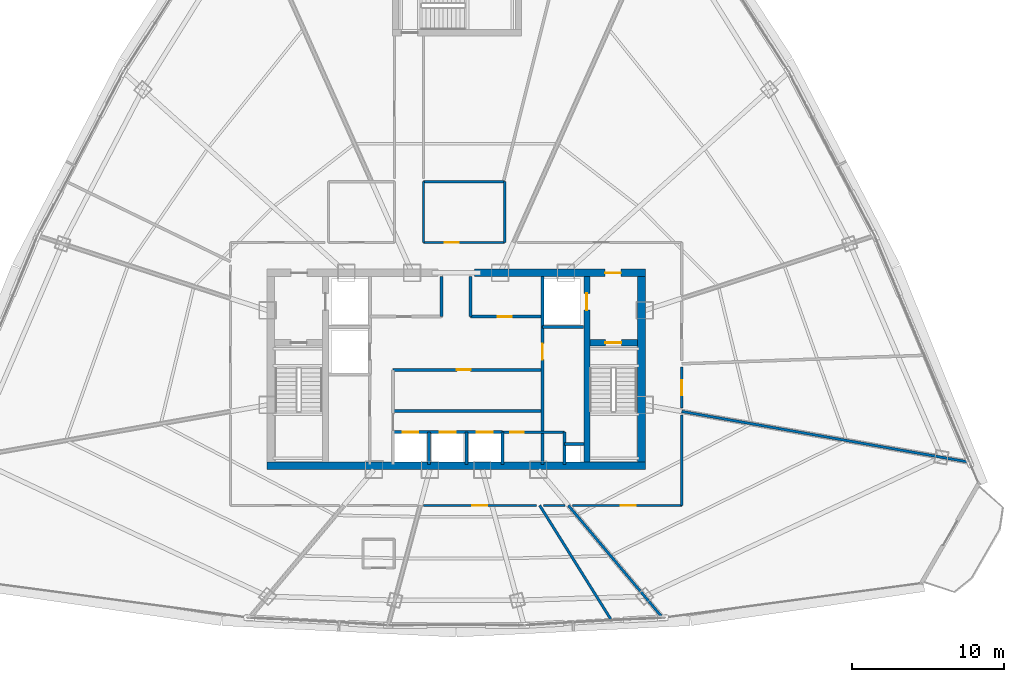
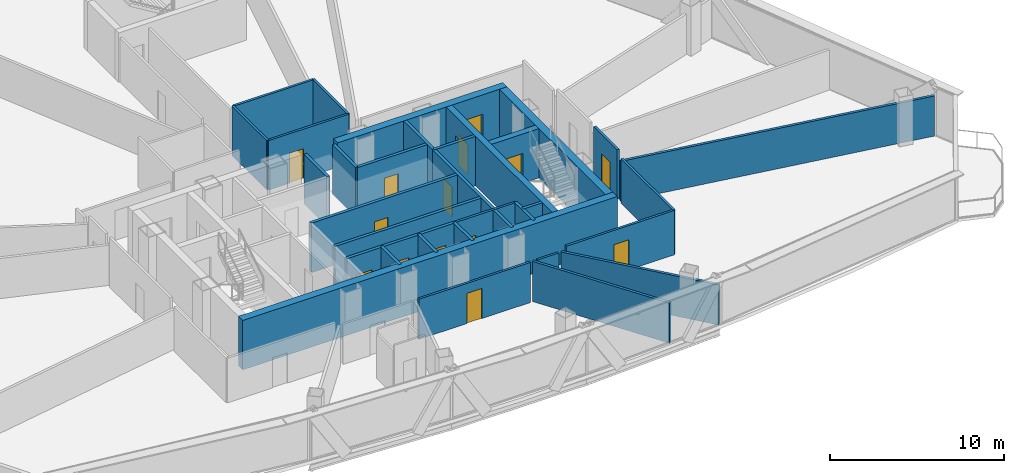
# One storey, part 31 of 37: 32 walls, 14 doors, 14 openings.
"""IFC4 building model written with IfcOpenShell, lengths in metres."""

from ifc_helpers import new_model, si_unit, direction, frame, frame_2d, origin, origin_with_axes, place, context, subcontext, project, spatial, rectangle, extrude, source, transform, mapped, material, layer, layer_set, type_object, element, fill, save


model = new_model("IFC4")

# Units and contexts
model_context = context("Model", 3, precision=1e-05, world=origin(), true_north=direction((0.0, 1.0)))
body_context = subcontext(model_context, "Body", "Model", "MODEL_VIEW")
ifc_project = project(units=[si_unit("LENGTHUNIT", "METRE"), si_unit("AREAUNIT", "SQUARE_METRE"), si_unit("VOLUMEUNIT", "CUBIC_METRE"), si_unit("PLANEANGLEUNIT", "RADIAN"), si_unit("MASSUNIT", "GRAM", prefix="KILO"), si_unit("THERMODYNAMICTEMPERATUREUNIT", "KELVIN"), si_unit("POWERUNIT", "WATT")], contexts=[model_context])

# Site, building, storey
site_placement = place(None, origin())
site = spatial("IfcSite", under=ifc_project, at=site_placement, CompositionType="ELEMENT")
building_placement = place(site_placement, origin())
building = spatial("IfcBuilding", under=site, at=building_placement, Name="Yunzhuo Pagoda Commons", CompositionType="ELEMENT")
storey_placement = place(building_placement, frame((0.0, 0.0, 251.989990234375)))
storey = spatial("IfcBuildingStorey", under=building, at=storey_placement, Name="L63", CompositionType="ELEMENT", Elevation=251.989990234375)

# Wall
ifc_material_1 = material(Name="Concrete C50", Category="concrete")
ifc_layer_1 = layer(ifc_material_1, 0.5)
ifc_layer_set_1 = layer_set([ifc_layer_1], Name="Concrete C50")
wall_type_1 = type_object("IfcWallType", Name="W-C03 Upper Core Shear Wall 500", PredefinedType="SHEAR", material=ifc_layer_set_1)
wall_1_placement = place(storey_placement, frame((35.550048828125, 27.5, 0.0), z_axis=(0.0, 0.0, 1.0), x_axis=(1.0, 0.0, 0.0)))
element("IfcWall", 1, at=wall_1_placement, inside=storey, type_object=wall_type_1, Name="L63 core shear wall S", PredefinedType="SHEAR", context=body_context, shape_type="SweptSolid", body=[
    extrude(rectangle(XDim=24.89990234375, YDim=0.5, at=frame_2d((12.449951171875, 0.0))), origin(), (0.0, 0.0, 1.0), 3.469970703125),
])

# Wall, opening, door
wall_2_placement = place(storey_placement, frame((49.199951171875, 40.199951171875, 0.0), z_axis=(0.0, 0.0, 1.0), x_axis=(1.0, 0.0, 0.0)))
wall_2 = element("IfcWall", 2, at=wall_2_placement, inside=storey, type_object=wall_type_1, Name="L63 core shear wall NE", PredefinedType="SHEAR", context=body_context, shape_type="SweptSolid", body=[
    extrude(rectangle(XDim=11.25, YDim=0.5, at=frame_2d((5.625, 0.0))), origin(), (0.0, 0.0, 1.0), 3.469970703125),
])
opening_1_placement = place(wall_2_placement, frame((8.60009765625, 0.0, 0.0)))
opening_1 = element("IfcOpeningElement", 3, at=opening_1_placement, cuts=wall_2, Name="Opening D-02", PredefinedType="OPENING", context=body_context, shape_type="SweptSolid", body=[
    extrude(rectangle(XDim=1.050048828125, YDim=2.10009765625, at=frame_2d((0.52490234375, 1.050048828125))), frame((0.0, 0.260009765625, 0.0), z_axis=(0.0, -1.0, 0.0), x_axis=(1.0, 0.0, 0.0)), (0.0, 0.0, 1.0), 0.52001953125),
])
ifc_material_2 = material(Name="Galvanized fire-resisting metal leaf")
door_type_1 = type_object("IfcDoorType", Name="D-02 Firefighting Lobby & Refuge Fire Door 1050x2100", OperationType="NOTDEFINED", PredefinedType="DOOR", material=ifc_material_2)
shared_shape_1 = source(origin(), body_context, "Body", "SweptSolid", [
    extrude(rectangle(XDim=1.050048828125, YDim=2.10009765625, at=frame_2d((0.52490234375, 1.050048828125))), frame((0.0, 0.02490234375, 0.0), z_axis=(0.0, -1.0, 0.0), x_axis=(1.0, 0.0, 0.0)), (0.0, 0.0, 1.0), 0.050048828125),
])
door_1_placement = place(opening_1_placement, frame((1.050048828125, 0.0, 0.0), z_axis=(0.0, 0.0, 1.0), x_axis=(-1.0, 0.0, 0.0)))
door_1 = element("IfcDoor", 4, at=door_1_placement, inside=storey, type_object=door_type_1, Name="L63 Firefighting Lobby 2 fire door", OperationType="SINGLE_SWING_RIGHT", OverallHeight=2.10009765625, OverallWidth=1.050048828125, PredefinedType="DOOR", context=body_context, shape_type="MappedRepresentation", body=[
    mapped(shared_shape_1, transform((0.0, 0.0, 0.0), scale=1.0)),
])
fill(opening_1, door_1)

# Wall
wall_3_placement = place(storey_placement, frame((60.199951171875, 27.75, 0.0), z_axis=(0.0, 0.0, 1.0), x_axis=(0.0, 1.0, 0.0)))
element("IfcWall", 5, at=wall_3_placement, inside=storey, type_object=wall_type_1, Name="L63 core shear wall E", PredefinedType="SHEAR", context=body_context, shape_type="SweptSolid", body=[
    extrude(rectangle(XDim=12.199951171875, YDim=0.5, at=frame_2d((6.10009765625, 0.0))), origin(), (0.0, 0.0, 1.0), 3.469970703125),
])

# Wall, opening, door
ifc_material_3 = material(Name="Gypsum plasterboard on acoustic stud")
ifc_layer_2 = layer(ifc_material_3, 0.14990234375)
ifc_layer_set_2 = layer_set([ifc_layer_2], Name="Gypsum plasterboard on acoustic stud")
wall_type_2 = type_object("IfcWallType", Name="W-COR3 High-Zone Rated Corridor Wall 150", PredefinedType="PARTITIONING", material=ifc_layer_set_2)
wall_4_placement = place(storey_placement, frame((51.050048828125, 29.719970703125, 0.0), z_axis=(0.0, 0.0, 1.0), x_axis=(1.0, 0.0, 0.0)))
wall_4 = element("IfcWall", 6, at=wall_4_placement, inside=storey, type_object=wall_type_2, Name="L63 interior wall IW-L63-CSES", PredefinedType="PARTITIONING", context=body_context, shape_type="SweptSolid", body=[
    extrude(rectangle(XDim=4.070068359375, YDim=0.14990234375, at=frame_2d((2.03515625, 0.0))), origin(), (0.0, 0.0, 1.0), 3.469970703125),
])
opening_2_placement = place(wall_4_placement, frame((0.5, 0.0, 0.0)))
opening_2 = element("IfcOpeningElement", 7, at=opening_2_placement, cuts=wall_4, Name="Opening D-03", PredefinedType="OPENING", context=body_context, shape_type="SweptSolid", body=[
    extrude(rectangle(XDim=0.89990234375, YDim=2.10009765625, at=frame_2d((0.449951171875, 1.050048828125))), frame((0.0, 0.0849609375, 0.0), z_axis=(0.0, -1.0, 0.0), x_axis=(1.0, 0.0, 0.0)), (0.0, 0.0, 1.0), 0.169921875),
])
door_type_2 = type_object("IfcDoorType", Name="D-03 Core Service Fire Door 900x2100", OperationType="NOTDEFINED", PredefinedType="DOOR", material=ifc_material_2)
shared_shape_2 = source(origin(), body_context, "Body", "SweptSolid", [
    extrude(rectangle(XDim=0.89990234375, YDim=2.10009765625, at=frame_2d((0.449951171875, 1.050048828125))), frame((0.0, 0.02490234375, 0.0), z_axis=(0.0, -1.0, 0.0), x_axis=(1.0, 0.0, 0.0)), (0.0, 0.0, 1.0), 0.050048828125),
])
door_2_placement = place(opening_2_placement, origin_with_axes())
door_2 = element("IfcDoor", 8, at=door_2_placement, inside=storey, type_object=door_type_2, Name="L63 cleaner store door", OperationType="SINGLE_SWING_LEFT", OverallHeight=2.10009765625, OverallWidth=0.89990234375, PredefinedType="DOOR", context=body_context, shape_type="MappedRepresentation", body=[
    mapped(shared_shape_2, transform((0.0, 0.0, 0.0), scale=1.0)),
])
fill(opening_2, door_2)

wall_5_placement = place(storey_placement, frame((45.85009765625, 42.199951171875, 0.0), z_axis=(0.0, 0.0, 1.0), x_axis=(1.0, 0.0, 0.0)))
wall_5 = element("IfcWall", 9, at=wall_5_placement, inside=storey, type_object=wall_type_2, Name="L63 interior wall IW-L63-TFES", PredefinedType="PARTITIONING", context=body_context, shape_type="SweptSolid", body=[
    extrude(rectangle(XDim=5.349853515625, YDim=0.14990234375, at=frame_2d((2.6748046875, 0.0))), origin(), (0.0, 0.0, 1.0), 3.469970703125),
])
opening_3_placement = place(wall_5_placement, frame((1.39990234375, 0.0, 0.0)))
opening_3 = element("IfcOpeningElement", 10, at=opening_3_placement, cuts=wall_5, Name="Opening D-11", PredefinedType="OPENING", context=body_context, shape_type="SweptSolid", body=[
    extrude(rectangle(XDim=0.93994140625, YDim=2.10009765625, at=frame_2d((0.469970703125, 1.050048828125))), frame((0.0, 0.0849609375, 0.0), z_axis=(0.0, -1.0, 0.0), x_axis=(1.0, 0.0, 0.0)), (0.0, 0.0, 1.0), 0.169921875),
])
door_type_3 = type_object("IfcDoorType", Name="D-11 Accessible Washroom Fire Door 940x2100", OperationType="NOTDEFINED", PredefinedType="DOOR", material=ifc_material_2)
shared_shape_3 = source(origin(), body_context, "Body", "SweptSolid", [
    extrude(rectangle(XDim=0.93994140625, YDim=2.10009765625, at=frame_2d((0.469970703125, 1.050048828125))), frame((0.0, 0.02490234375, 0.0), z_axis=(0.0, -1.0, 0.0), x_axis=(1.0, 0.0, 0.0)), (0.0, 0.0, 1.0), 0.050048828125),
])
door_3_placement = place(opening_3_placement, frame((0.93994140625, 0.0, 0.0), z_axis=(0.0, 0.0, 1.0), x_axis=(-1.0, 0.0, 0.0)))
door_3 = element("IfcDoor", 11, at=door_3_placement, inside=storey, type_object=door_type_3, Name="L63 accessible WC door", OperationType="SINGLE_SWING_RIGHT", OverallHeight=2.10009765625, OverallWidth=0.93994140625, PredefinedType="DOOR", context=body_context, shape_type="MappedRepresentation", body=[
    mapped(shared_shape_3, transform((0.0, 0.0, 0.0), scale=1.0)),
])
fill(opening_3, door_3)

# Walls
wall_6_placement = place(storey_placement, frame((45.85009765625, 46.199951171875, 0.0), z_axis=(0.0, 0.0, 1.0), x_axis=(1.0, 0.0, 0.0)))
element("IfcWall", 12, at=wall_6_placement, inside=storey, type_object=wall_type_2, Name="L63 interior wall IW-L63-TFEN", PredefinedType="PARTITIONING", context=body_context, shape_type="SweptSolid", body=[
    extrude(rectangle(XDim=5.349853515625, YDim=0.14990234375, at=frame_2d((2.6748046875, 0.0))), origin(), (0.0, 0.0, 1.0), 3.469970703125),
])
for number, where, z_axis, x_axis, name in (
    (13, (45.85009765625, 42.199951171875, 0.0), (0.0, 0.0, 1.0), (0.0, 1.0, 0.0), "L63 interior wall IW-L63-TFEW"),
    (14, (51.199951171875, 42.199951171875, 0.0), (0.0, 0.0, 1.0), (0.0, 1.0, 0.0), "L63 interior wall IW-L63-TFEE"),
):
    element("IfcWall", number, at=place(storey_placement, frame(where, z_axis=z_axis, x_axis=x_axis)), inside=storey, type_object=wall_type_2, Name=name, PredefinedType="PARTITIONING", context=body_context, shape_type="SweptSolid", body=[
        extrude(rectangle(XDim=4.0, YDim=0.14990234375, at=frame_2d((2.0, 0.0))), origin(), (0.0, 0.0, 1.0), 3.469970703125),
    ])

# Wall, opening, door
wall_7_placement = place(storey_placement, frame((62.85009765625, 33.998779296875, 0.0), z_axis=(0.0, 0.0, 1.0), x_axis=(0.0, -1.0, 0.0)))
wall_7 = element("IfcWall", 15, at=wall_7_placement, inside=storey, type_object=wall_type_2, Name="L63 interior wall IW-L63-CWL11", PredefinedType="PARTITIONING", context=body_context, shape_type="SweptSolid", body=[
    extrude(rectangle(XDim=2.697509765625, YDim=0.14990234375, at=frame_2d((1.3486328125, 0.0))), origin(), (0.0, 0.0, 1.0), 3.469970703125),
])
opening_4_placement = place(wall_7_placement, frame((0.873779296875, 0.0, 0.0)))
opening_4 = element("IfcOpeningElement", 16, at=opening_4_placement, cuts=wall_7, Name="Opening D-08", PredefinedType="OPENING", context=body_context, shape_type="SweptSolid", body=[
    extrude(rectangle(XDim=0.97998046875, YDim=2.1201171875, at=frame_2d((0.489990234375, 1.06005859375))), frame((0.0, 0.0849609375, 0.0), z_axis=(0.0, -1.0, 0.0), x_axis=(1.0, 0.0, 0.0)), (0.0, 0.0, 1.0), 0.169921875),
])
door_type_4 = type_object("IfcDoorType", Name="D-08 High-Zone Suite Entrance Fire Door 980x2120", OperationType="NOTDEFINED", PredefinedType="DOOR", material=ifc_material_2)
shared_shape_4 = source(origin(), body_context, "Body", "SweptSolid", [
    extrude(rectangle(XDim=0.97998046875, YDim=2.1201171875, at=frame_2d((0.489990234375, 1.06005859375))), frame((0.0, 0.02490234375, 0.0), z_axis=(0.0, -1.0, 0.0), x_axis=(1.0, 0.0, 0.0)), (0.0, 0.0, 1.0), 0.050048828125),
])
door_4_placement = place(opening_4_placement, origin_with_axes())
door_4 = element("IfcDoor", 17, at=door_4_placement, inside=storey, type_object=door_type_4, Name="L63 unit 13 entrance door", OperationType="SINGLE_SWING_LEFT", OverallHeight=2.1201171875, OverallWidth=0.97998046875, PredefinedType="DOOR", context=body_context, shape_type="MappedRepresentation", body=[
    mapped(shared_shape_4, transform((0.0, 0.0, 0.0), scale=1.0)),
])
fill(opening_4, door_4)

# Wall
wall_8_placement = place(storey_placement, frame((62.85009765625, 30.858154296875, 0.0), z_axis=(0.0, 0.0, 1.0), x_axis=(0.0, -1.0, 0.0)))
element("IfcWall", 18, at=wall_8_placement, inside=storey, type_object=wall_type_2, Name="L63 interior wall IW-L63-CWL12", PredefinedType="PARTITIONING", context=body_context, shape_type="SweptSolid", body=[
    extrude(rectangle(XDim=5.958251953125, YDim=0.14990234375, at=frame_2d((2.97900390625, 0.0))), origin(), (0.0, 0.0, 1.0), 3.1201171875),
])

# Wall, opening, door
wall_9_placement = place(storey_placement, frame((62.85009765625, 24.89990234375, 0.0), z_axis=(0.0, 0.0, 1.0), x_axis=(-1.0, 0.0, 0.0)))
wall_9 = element("IfcWall", 19, at=wall_9_placement, inside=storey, type_object=wall_type_2, Name="L63 interior wall IW-L63-CWL13", PredefinedType="PARTITIONING", context=body_context, shape_type="SweptSolid", body=[
    extrude(rectangle(XDim=7.1787109375, YDim=0.14990234375, at=frame_2d((3.58935546875, 0.0))), origin(), (0.0, 0.0, 1.0), 3.1201171875),
])
opening_5_placement = place(wall_9_placement, frame((3.028076171875, 0.0, 0.0)))
opening_5 = element("IfcOpeningElement", 20, at=opening_5_placement, cuts=wall_9, Name="Opening D-08", PredefinedType="OPENING", context=body_context, shape_type="SweptSolid", body=[
    extrude(rectangle(XDim=0.97998046875, YDim=2.1201171875, at=frame_2d((0.489990234375, 1.06005859375))), frame((0.0, 0.0849609375, 0.0), z_axis=(0.0, -1.0, 0.0), x_axis=(1.0, 0.0, 0.0)), (0.0, 0.0, 1.0), 0.169921875),
])
door_5_placement = place(opening_5_placement, origin_with_axes())
door_5 = element("IfcDoor", 21, at=door_5_placement, inside=storey, type_object=door_type_4, Name="L63 unit 12 entrance door", OperationType="SINGLE_SWING_RIGHT", OverallHeight=2.1201171875, OverallWidth=0.97998046875, PredefinedType="DOOR", context=body_context, shape_type="MappedRepresentation", body=[
    mapped(shared_shape_4, transform((0.0, 0.0, 0.0), scale=1.0)),
])
fill(opening_5, door_5)

# Wall
wall_10_placement = place(storey_placement, frame((55.164306640625, 24.89990234375, 0.0), z_axis=(0.0, 0.0, 1.0), x_axis=(-1.0, 0.0, 0.0)))
element("IfcWall", 22, at=wall_10_placement, inside=storey, type_object=wall_type_2, Name="L63 interior wall IW-L63-CWL14", PredefinedType="PARTITIONING", context=body_context, shape_type="SweptSolid", body=[
    extrude(rectangle(XDim=1.406005859375, YDim=0.14990234375, at=frame_2d((0.703125, 0.0))), origin(), (0.0, 0.0, 1.0), 2.820068359375),
])

# Wall, opening, door
wall_11_placement = place(storey_placement, frame((53.279052734375, 24.89990234375, 0.0), z_axis=(0.0, 0.0, 1.0), x_axis=(-1.0, 0.0, 0.0)))
wall_11 = element("IfcWall", 23, at=wall_11_placement, inside=storey, type_object=wall_type_2, Name="L63 interior wall IW-L63-CWL15", PredefinedType="PARTITIONING", context=body_context, shape_type="SweptSolid", body=[
    extrude(rectangle(XDim=7.417236328125, YDim=0.14990234375, at=frame_2d((3.70849609375, 0.0))), origin(), (0.0, 0.0, 1.0), 2.820068359375),
])
opening_6_placement = place(wall_11_placement, frame((3.233642578125, 0.0, 0.0)))
opening_6 = element("IfcOpeningElement", 24, at=opening_6_placement, cuts=wall_11, Name="Opening D-08", PredefinedType="OPENING", context=body_context, shape_type="SweptSolid", body=[
    extrude(rectangle(XDim=0.97998046875, YDim=2.1201171875, at=frame_2d((0.489990234375, 1.06005859375))), frame((0.0, 0.0849609375, 0.0), z_axis=(0.0, -1.0, 0.0), x_axis=(1.0, 0.0, 0.0)), (0.0, 0.0, 1.0), 0.169921875),
])
door_6_placement = place(opening_6_placement, origin_with_axes())
door_6 = element("IfcDoor", 25, at=door_6_placement, inside=storey, type_object=door_type_4, Name="L63 Academic Reading Commons 2 door", OperationType="SINGLE_SWING_RIGHT", OverallHeight=2.1201171875, OverallWidth=0.97998046875, PredefinedType="DOOR", context=body_context, shape_type="MappedRepresentation", body=[
    mapped(shared_shape_4, transform((0.0, 0.0, 0.0), scale=1.0)),
])
fill(opening_6, door_6)

# Walls
ifc_layer_3 = layer(ifc_material_3, 0.169921875)
ifc_layer_set_3 = layer_set([ifc_layer_3], Name="Gypsum plasterboard on acoustic stud")
wall_type_3 = type_object("IfcWallType", Name="W-PRT4 High-Zone Demising Wall 170", PredefinedType="PARTITIONING", material=ifc_layer_set_3)
wall_12_placement = place(storey_placement, frame((53.498779296875, 24.89990234375, 0.0), z_axis=(0.0, 0.0, 1.0), x_axis=(0.529920411872, -0.848047379031, 0.0)))
element("IfcWall", 26, at=wall_12_placement, inside=storey, type_object=wall_type_3, Name="L63 interior wall IW-L63-RAD11", PredefinedType="PARTITIONING", context=body_context, shape_type="SweptSolid", body=[
    extrude(rectangle(XDim=8.94287109375, YDim=0.169921875, at=frame_2d((4.471435546875, 0.0))), origin(), (0.0, 0.0, 1.0), 2.820068359375),
])
wall_13_placement = place(storey_placement, frame((55.384033203125, 24.89990234375, 0.0), z_axis=(0.0, 0.0, 1.0), x_axis=(0.642795010628, -0.766038232931, 0.0)))
element("IfcWall", 27, at=wall_13_placement, inside=storey, type_object=wall_type_3, Name="L63 interior wall IW-L63-RAD12", PredefinedType="PARTITIONING", context=body_context, shape_type="SweptSolid", body=[
    extrude(rectangle(XDim=9.6630859375, YDim=0.169921875, at=frame_2d((4.83154296875, 0.0))), origin(), (0.0, 0.0, 1.0), 2.820068359375),
])
wall_14_placement = place(storey_placement, frame((62.85009765625, 31.08154296875, 0.0), z_axis=(0.0, 0.0, 1.0), x_axis=(0.984808346381, -0.173644812474, 0.0)))
element("IfcWall", 28, at=wall_14_placement, inside=storey, type_object=wall_type_3, Name="L63 interior wall IW-L63-RAD13", PredefinedType="PARTITIONING", context=body_context, shape_type="SweptSolid", body=[
    extrude(rectangle(XDim=19.22802734375, YDim=0.169921875, at=frame_2d((9.614013671875, 0.0))), origin(), (0.0, 0.0, 1.0), 2.820068359375),
])

# Wall, opening, door
ifc_material_4 = material(Name="Concrete C60", Category="concrete")
ifc_layer_4 = layer(ifc_material_4, 0.39990234375)
ifc_layer_set_4 = layer_set([ifc_layer_4], Name="Concrete C60")
wall_type_4 = type_object("IfcWallType", Name="W-S01 Internal Core Shear Web 400", PredefinedType="SHEAR", material=ifc_layer_set_4)
wall_15_placement = place(storey_placement, frame((56.60009765625, 27.75, 0.0), z_axis=(0.0, 0.0, 1.0), x_axis=(0.0, 1.0, 0.0)))
wall_15 = element("IfcWall", 29, at=wall_15_placement, inside=storey, type_object=wall_type_4, Name="L63 core shear wall WEBE", PredefinedType="SHEAR", context=body_context, shape_type="SweptSolid", body=[
    extrude(rectangle(XDim=12.199951171875, YDim=0.39990234375, at=frame_2d((6.10009765625, 0.0))), origin(), (0.0, 0.0, 1.0), 3.469970703125),
])
opening_7_placement = place(wall_15_placement, frame((10.0, 0.0, 0.0)))
opening_7 = element("IfcOpeningElement", 30, at=opening_7_placement, cuts=wall_15, Name="Opening LD-01", PredefinedType="OPENING", context=body_context, shape_type="SweptSolid", body=[
    extrude(rectangle(XDim=1.10009765625, YDim=2.10009765625, at=frame_2d((0.550048828125, 1.050048828125))), frame((0.0, 0.2099609375, 0.0), z_axis=(0.0, -1.0, 0.0), x_axis=(1.0, 0.0, 0.0)), (0.0, 0.0, 1.0), 0.419921875),
])
door_type_5 = type_object("IfcDoorType", Name="LD-01 Firefighting Lift Landing Door 1100x2100", OperationType="DOUBLE_DOOR_SLIDING", PredefinedType="DOOR", material=ifc_material_2)
shared_shape_5 = source(origin(), body_context, "Body", "SweptSolid", [
    extrude(rectangle(XDim=1.10009765625, YDim=2.10009765625, at=frame_2d((0.550048828125, 1.050048828125))), frame((0.0, 0.02490234375, 0.0), z_axis=(0.0, -1.0, 0.0), x_axis=(1.0, 0.0, 0.0)), (0.0, 0.0, 1.0), 0.050048828125),
])
door_7_placement = place(opening_7_placement, origin_with_axes())
door_7 = element("IfcDoor", 31, at=door_7_placement, inside=storey, type_object=door_type_5, Name="L63 Firefighting lift FL-2 landing door", OperationType="DOUBLE_DOOR_SLIDING", OverallHeight=2.10009765625, OverallWidth=1.10009765625, PredefinedType="DOOR", context=body_context, shape_type="MappedRepresentation", body=[
    mapped(shared_shape_5, transform((0.0, 0.0, 0.0), scale=1.0)),
])
fill(opening_7, door_7)

wall_16_placement = place(storey_placement, frame((56.800048828125, 35.60009765625, 0.0), z_axis=(0.0, 0.0, 1.0), x_axis=(1.0, 0.0, 0.0)))
wall_16 = element("IfcWall", 32, at=wall_16_placement, inside=storey, type_object=wall_type_4, Name="L63 core shear wall STE", PredefinedType="SHEAR", context=body_context, shape_type="SweptSolid", body=[
    extrude(rectangle(XDim=3.14990234375, YDim=0.39990234375, at=frame_2d((1.574951171875, 0.0))), origin(), (0.0, 0.0, 1.0), 3.469970703125),
])
opening_8_placement = place(wall_16_placement, frame((1.02001953125, 0.0, 0.0)))
opening_8 = element("IfcOpeningElement", 33, at=opening_8_placement, cuts=wall_16, Name="Opening D-01", PredefinedType="OPENING", context=body_context, shape_type="SweptSolid", body=[
    extrude(rectangle(XDim=1.050048828125, YDim=2.10009765625, at=frame_2d((0.52490234375, 1.050048828125))), frame((0.0, 0.2099609375, 0.0), z_axis=(0.0, -1.0, 0.0), x_axis=(1.0, 0.0, 0.0)), (0.0, 0.0, 1.0), 0.419921875),
])
door_type_6 = type_object("IfcDoorType", Name="D-01 Smokeproof Stair Fire Door 1050x2100", OperationType="NOTDEFINED", PredefinedType="DOOR", material=ifc_material_2)
door_8_placement = place(opening_8_placement, frame((1.050048828125, 0.0, 0.0), z_axis=(0.0, 0.0, 1.0), x_axis=(-1.0, 0.0, 0.0)))
door_8 = element("IfcDoor", 34, at=door_8_placement, inside=storey, type_object=door_type_6, Name="L63 Stair ST2 fire door", OperationType="SINGLE_SWING_RIGHT", OverallHeight=2.10009765625, OverallWidth=1.050048828125, PredefinedType="DOOR", context=body_context, shape_type="MappedRepresentation", body=[
    mapped(shared_shape_1, transform((0.0, 0.0, 0.0), scale=1.0)),
])
fill(opening_8, door_8)

# Walls
ifc_material_5 = material(Name="Concrete C40", Category="concrete")
ifc_layer_5 = layer(ifc_material_5, 0.199951171875)
ifc_layer_set_5 = layer_set([ifc_layer_5], Name="Concrete C40")
wall_type_5 = type_object("IfcWallType", Name="W-SHF Shaft & Stair Enclosure Wall 200", PredefinedType="SOLIDWALL", material=ifc_layer_set_5)
wall_17_placement = place(storey_placement, frame((53.679931640625, 36.64990234375, 0.0), z_axis=(0.0, 0.0, 1.0), x_axis=(0.0, 1.0, 0.0)))
element("IfcWall", 35, at=wall_17_placement, inside=storey, type_object=wall_type_5, Name="L63 interior wall IW-L63-FL2W", PredefinedType="SOLIDWALL", context=body_context, shape_type="SweptSolid", body=[
    extrude(rectangle(XDim=3.300048828125, YDim=0.199951171875, at=frame_2d((1.64990234375, 0.0))), origin(), (0.0, 0.0, 1.0), 3.469970703125),
])
wall_18_placement = place(storey_placement, frame((53.679931640625, 36.64990234375, 0.0), z_axis=(0.0, 0.0, 1.0), x_axis=(1.0, 0.0, 0.0)))
element("IfcWall", 36, at=wall_18_placement, inside=storey, type_object=wall_type_5, Name="L63 interior wall IW-L63-FL2S", PredefinedType="SOLIDWALL", context=body_context, shape_type="SweptSolid", body=[
    extrude(rectangle(XDim=2.719970703125, YDim=0.199951171875, at=frame_2d((1.35986328125, 0.0))), origin(), (0.0, 0.0, 1.0), 3.469970703125),
])

# Wall, opening, door
wall_19_placement = place(storey_placement, frame((48.949951171875, 37.320068359375, 0.0), z_axis=(0.0, 0.0, 1.0), x_axis=(1.0, 0.0, 0.0)))
wall_19 = element("IfcWall", 37, at=wall_19_placement, inside=storey, type_object=wall_type_5, Name="L63 interior wall IW-L63-LBNE", PredefinedType="SOLIDWALL", context=body_context, shape_type="SweptSolid", body=[
    extrude(rectangle(XDim=4.72998046875, YDim=0.199951171875, at=frame_2d((2.364990234375, 0.0))), origin(), (0.0, 0.0, 1.0), 3.469970703125),
])
opening_9_placement = place(wall_19_placement, frame((1.800048828125, 0.0, 0.0)))
opening_9 = element("IfcOpeningElement", 38, at=opening_9_placement, cuts=wall_19, Name="Opening D-03", PredefinedType="OPENING", context=body_context, shape_type="SweptSolid", body=[
    extrude(rectangle(XDim=0.89990234375, YDim=2.10009765625, at=frame_2d((0.449951171875, 1.050048828125))), frame((0.0, 0.10986328125, 0.0), z_axis=(0.0, -1.0, 0.0), x_axis=(1.0, 0.0, 0.0)), (0.0, 0.0, 1.0), 0.219970703125),
])
door_9_placement = place(opening_9_placement, frame((0.89990234375, 0.0, 0.0), z_axis=(0.0, 0.0, 1.0), x_axis=(-1.0, 0.0, 0.0)))
door_9 = element("IfcDoor", 39, at=door_9_placement, inside=storey, type_object=door_type_2, Name="L63 core east store door", OperationType="SINGLE_SWING_RIGHT", OverallHeight=2.10009765625, OverallWidth=0.89990234375, PredefinedType="DOOR", context=body_context, shape_type="MappedRepresentation", body=[
    mapped(shared_shape_2, transform((0.0, 0.0, 0.0), scale=1.0)),
])
fill(opening_9, door_9)

# Walls
for number, where, z_axis, x_axis, name in (
    (40, (47.050048828125, 37.320068359375, 0.0), (0.0, 0.0, 1.0), (0.0, 1.0, 0.0), "L63 interior wall IW-L63-THRW"),
    (41, (48.949951171875, 37.320068359375, 0.0), (0.0, 0.0, 1.0), (0.0, 1.0, 0.0), "L63 interior wall IW-L63-THRE"),
):
    element("IfcWall", number, at=place(storey_placement, frame(where, z_axis=z_axis, x_axis=x_axis)), inside=storey, type_object=wall_type_5, Name=name, PredefinedType="SOLIDWALL", context=body_context, shape_type="SweptSolid", body=[
        extrude(rectangle(XDim=2.6298828125, YDim=0.199951171875, at=frame_2d((1.31494140625, 0.0))), origin(), (0.0, 0.0, 1.0), 3.469970703125),
    ])

# Wall, opening, door
wall_20_placement = place(storey_placement, frame((43.85009765625, 33.820068359375, 0.0), z_axis=(0.0, 0.0, 1.0), x_axis=(1.0, 0.0, 0.0)))
wall_20 = element("IfcWall", 42, at=wall_20_placement, inside=storey, type_object=wall_type_5, Name="L63 interior wall IW-L63-MLBS", PredefinedType="SOLIDWALL", context=body_context, shape_type="SweptSolid", body=[
    extrude(rectangle(XDim=9.829833984375, YDim=0.199951171875, at=frame_2d((4.9150390625, 0.0))), origin(), (0.0, 0.0, 1.0), 3.469970703125),
])
opening_10_placement = place(wall_20_placement, frame((4.199951171875, 0.0, 0.0)))
opening_10 = element("IfcOpeningElement", 43, at=opening_10_placement, cuts=wall_20, Name="Opening D-03", PredefinedType="OPENING", context=body_context, shape_type="SweptSolid", body=[
    extrude(rectangle(XDim=0.89990234375, YDim=2.10009765625, at=frame_2d((0.449951171875, 1.050048828125))), frame((0.0, 0.10986328125, 0.0), z_axis=(0.0, -1.0, 0.0), x_axis=(1.0, 0.0, 0.0)), (0.0, 0.0, 1.0), 0.219970703125),
])
door_10_placement = place(opening_10_placement, origin_with_axes())
door_10 = element("IfcDoor", 44, at=door_10_placement, inside=storey, type_object=door_type_2, Name="L63 core archive store door", OperationType="SINGLE_SWING_LEFT", OverallHeight=2.10009765625, OverallWidth=0.89990234375, PredefinedType="DOOR", context=body_context, shape_type="MappedRepresentation", body=[
    mapped(shared_shape_2, transform((0.0, 0.0, 0.0), scale=1.0)),
])
fill(opening_10, door_10)

wall_21_placement = place(storey_placement, frame((53.679931640625, 27.60009765625, 0.0), z_axis=(0.0, 0.0, 1.0), x_axis=(0.0, 1.0, 0.0)))
wall_21 = element("IfcWall", 45, at=wall_21_placement, inside=storey, type_object=wall_type_5, Name="L63 interior wall IW-L63-PLME", PredefinedType="SOLIDWALL", context=body_context, shape_type="SweptSolid", body=[
    extrude(rectangle(XDim=9.0498046875, YDim=0.199951171875, at=frame_2d((4.52490234375, 0.0))), origin(), (0.0, 0.0, 1.0), 3.469970703125),
])
opening_11_placement = place(wall_21_placement, frame((6.89990234375, 0.0, 0.0)))
opening_11 = element("IfcOpeningElement", 46, at=opening_11_placement, cuts=wall_21, Name="Opening D-02", PredefinedType="OPENING", context=body_context, shape_type="SweptSolid", body=[
    extrude(rectangle(XDim=1.050048828125, YDim=2.10009765625, at=frame_2d((0.52490234375, 1.050048828125))), frame((0.0, 0.10986328125, 0.0), z_axis=(0.0, -1.0, 0.0), x_axis=(1.0, 0.0, 0.0)), (0.0, 0.0, 1.0), 0.219970703125),
])
door_11_placement = place(opening_11_placement, origin_with_axes())
door_11 = element("IfcDoor", 47, at=door_11_placement, inside=storey, type_object=door_type_1, Name="L63 High-bank lift hall door", OperationType="SINGLE_SWING_RIGHT", OverallHeight=2.10009765625, OverallWidth=1.050048828125, PredefinedType="DOOR", context=body_context, shape_type="MappedRepresentation", body=[
    mapped(shared_shape_1, transform((0.0, 0.0, 0.0), scale=1.0)),
])
fill(opening_11, door_11)

# Wall, openings, doors
wall_22_placement = place(storey_placement, frame((43.85009765625, 29.719970703125, 0.0), z_axis=(0.0, 0.0, 1.0), x_axis=(1.0, 0.0, 0.0)))
wall_22 = element("IfcWall", 48, at=wall_22_placement, inside=storey, type_object=wall_type_5, Name="L63 interior wall IW-L63-PLHN", PredefinedType="SOLIDWALL", context=body_context, shape_type="SweptSolid", body=[
    extrude(rectangle(XDim=7.199951171875, YDim=0.199951171875, at=frame_2d((3.60009765625, 0.0))), origin(), (0.0, 0.0, 1.0), 3.469970703125),
])
opening_12_placement = place(wall_22_placement, frame((0.625, 0.0, 0.0)))
opening_12 = element("IfcOpeningElement", 49, at=opening_12_placement, cuts=wall_22, Name="Opening LD-02", PredefinedType="OPENING", context=body_context, shape_type="SweptSolid", body=[
    extrude(rectangle(XDim=1.050048828125, YDim=2.10009765625, at=frame_2d((0.52490234375, 1.050048828125))), frame((0.0, 0.10986328125, 0.0), z_axis=(0.0, -1.0, 0.0), x_axis=(1.0, 0.0, 0.0)), (0.0, 0.0, 1.0), 0.219970703125),
])
opening_13_placement = place(wall_22_placement, frame((3.074951171875, 0.0, 0.0)))
opening_13 = element("IfcOpeningElement", 50, at=opening_13_placement, cuts=wall_22, Name="Opening LD-02", PredefinedType="OPENING", context=body_context, shape_type="SweptSolid", body=[
    extrude(rectangle(XDim=1.050048828125, YDim=2.10009765625, at=frame_2d((0.52490234375, 1.050048828125))), frame((0.0, 0.10986328125, 0.0), z_axis=(0.0, -1.0, 0.0), x_axis=(1.0, 0.0, 0.0)), (0.0, 0.0, 1.0), 0.219970703125),
])
opening_14_placement = place(wall_22_placement, frame((5.52490234375, 0.0, 0.0)))
opening_14 = element("IfcOpeningElement", 51, at=opening_14_placement, cuts=wall_22, Name="Opening LD-02", PredefinedType="OPENING", context=body_context, shape_type="SweptSolid", body=[
    extrude(rectangle(XDim=1.050048828125, YDim=2.10009765625, at=frame_2d((0.52490234375, 1.050048828125))), frame((0.0, 0.10986328125, 0.0), z_axis=(0.0, -1.0, 0.0), x_axis=(1.0, 0.0, 0.0)), (0.0, 0.0, 1.0), 0.219970703125),
])
door_type_7 = type_object("IfcDoorType", Name="LD-02 Passenger Lift Landing Door 1050x2100", OperationType="DOUBLE_DOOR_SLIDING", PredefinedType="DOOR", material=ifc_material_2)
door_12_placement = place(opening_12_placement, origin_with_axes())
door_12 = element("IfcDoor", 52, at=door_12_placement, inside=storey, type_object=door_type_7, Name="L63 Passenger lift PL-H1 landing door", OperationType="DOUBLE_DOOR_SLIDING", OverallHeight=2.10009765625, OverallWidth=1.050048828125, PredefinedType="DOOR", context=body_context, shape_type="MappedRepresentation", body=[
    mapped(shared_shape_1, transform((0.0, 0.0, 0.0), scale=1.0)),
])
fill(opening_12, door_12)
door_13_placement = place(opening_13_placement, origin_with_axes())
door_13 = element("IfcDoor", 53, at=door_13_placement, inside=storey, type_object=door_type_7, Name="L63 Passenger lift PL-H2 landing door", OperationType="DOUBLE_DOOR_SLIDING", OverallHeight=2.10009765625, OverallWidth=1.050048828125, PredefinedType="DOOR", context=body_context, shape_type="MappedRepresentation", body=[
    mapped(shared_shape_1, transform((0.0, 0.0, 0.0), scale=1.0)),
])
fill(opening_13, door_13)
door_14_placement = place(opening_14_placement, origin_with_axes())
door_14 = element("IfcDoor", 54, at=door_14_placement, inside=storey, type_object=door_type_7, Name="L63 Passenger lift PL-H3 landing door", OperationType="DOUBLE_DOOR_SLIDING", OverallHeight=2.10009765625, OverallWidth=1.050048828125, PredefinedType="DOOR", context=body_context, shape_type="MappedRepresentation", body=[
    mapped(shared_shape_1, transform((0.0, 0.0, 0.0), scale=1.0)),
])
fill(opening_14, door_14)

# Walls
wall_23_placement = place(storey_placement, frame((51.050048828125, 27.60009765625, 0.0), z_axis=(0.0, 0.0, 1.0), x_axis=(0.0, 1.0, 0.0)))
element("IfcWall", 55, at=wall_23_placement, inside=storey, type_object=wall_type_5, Name="L63 interior wall IW-L63-PLHE", PredefinedType="SOLIDWALL", context=body_context, shape_type="SweptSolid", body=[
    extrude(rectangle(XDim=2.119873046875, YDim=0.199951171875, at=frame_2d((1.06005859375, 0.0))), origin(), (0.0, 0.0, 1.0), 3.469970703125),
])
wall_24_placement = place(storey_placement, frame((43.85009765625, 31.1201171875, 0.0), z_axis=(0.0, 0.0, 1.0), x_axis=(1.0, 0.0, 0.0)))
element("IfcWall", 56, at=wall_24_placement, inside=storey, type_object=wall_type_5, Name="L63 interior wall IW-L63-PLMS2", PredefinedType="SOLIDWALL", context=body_context, shape_type="SweptSolid", body=[
    extrude(rectangle(XDim=9.829833984375, YDim=0.199951171875, at=frame_2d((4.9150390625, 0.0))), origin(), (0.0, 0.0, 1.0), 3.469970703125),
])
for number, where, z_axis, x_axis, name in (
    (57, (46.22509765625, 27.60009765625, 0.0), (0.0, 0.0, 1.0), (0.0, 1.0, 0.0), "L63 interior wall IW-L63-PLHD1"),
    (58, (48.675048828125, 27.60009765625, 0.0), (0.0, 0.0, 1.0), (0.0, 1.0, 0.0), "L63 interior wall IW-L63-PLHD2"),
    (59, (55.1201171875, 27.60009765625, 0.0), (0.0, 0.0, 1.0), (0.0, 1.0, 0.0), "L63 interior wall IW-L63-RSHFW"),
):
    element("IfcWall", number, at=place(storey_placement, frame(where, z_axis=z_axis, x_axis=x_axis)), inside=storey, type_object=wall_type_5, Name=name, PredefinedType="SOLIDWALL", context=body_context, shape_type="SweptSolid", body=[
        extrude(rectangle(XDim=2.119873046875, YDim=0.199951171875, at=frame_2d((1.06005859375, 0.0))), origin(), (0.0, 0.0, 1.0), 3.469970703125),
    ])
wall_25_placement = place(storey_placement, frame((55.1201171875, 28.949951171875, 0.0), z_axis=(0.0, 0.0, 1.0), x_axis=(1.0, 0.0, 0.0)))
element("IfcWall", 60, at=wall_25_placement, inside=storey, type_object=wall_type_5, Name="L63 interior wall IW-L63-RSHFN", PredefinedType="SOLIDWALL", context=body_context, shape_type="SweptSolid", body=[
    extrude(rectangle(XDim=1.27978515625, YDim=0.199951171875, at=frame_2d((0.639892578125, 0.0))), origin(), (0.0, 0.0, 1.0), 3.469970703125),
])

save(model, "model.ifc")
